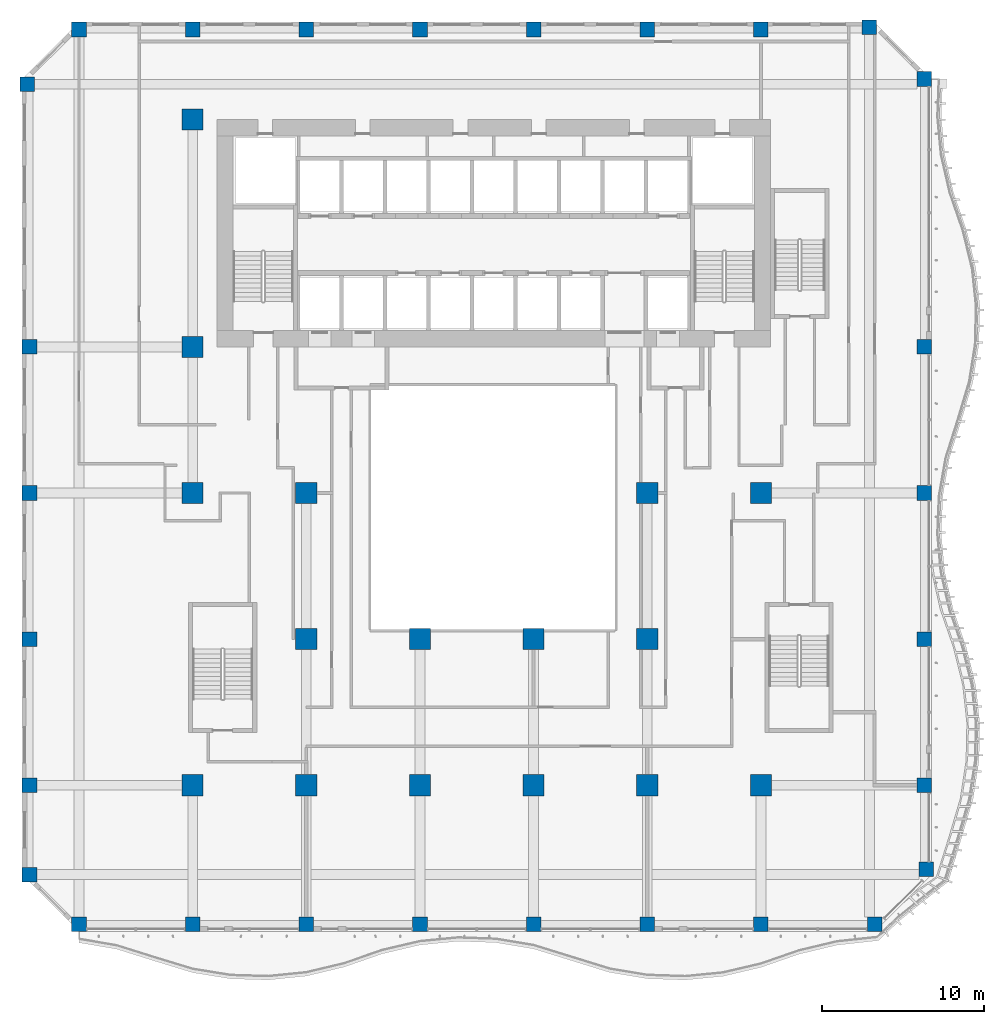
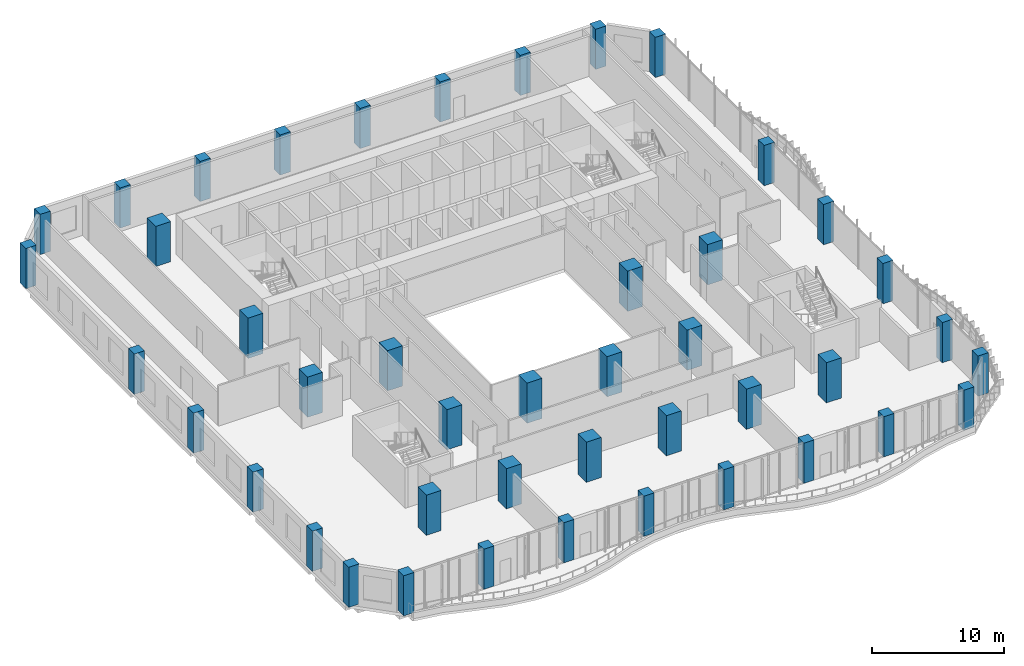
# One storey, part 1 of 27: 44 columns.
"""IFC4 building model written with IfcOpenShell, lengths in metres."""

from ifc_helpers import new_model, si_unit, direction, frame, origin, origin_2d, place, context, subcontext, project, spatial, rectangle, extrude, source, transform, mapped, material, material_profile, profile_set, type_object, element, save


model = new_model("IFC4")

# Units and contexts
model_context = context("Model", 3, precision=1e-05, world=origin(), true_north=direction((0.0, 1.0)))
body_context = subcontext(model_context, "Body", "Model", "MODEL_VIEW")
ifc_project = project(units=[si_unit("LENGTHUNIT", "METRE"), si_unit("AREAUNIT", "SQUARE_METRE"), si_unit("VOLUMEUNIT", "CUBIC_METRE"), si_unit("PLANEANGLEUNIT", "RADIAN"), si_unit("MASSUNIT", "GRAM", prefix="KILO")], contexts=[model_context])

# Site, building, storey
site_placement = place(None, origin())
site = spatial("IfcSite", under=ifc_project, at=site_placement, CompositionType="ELEMENT")
building_placement = place(site_placement, origin())
building = spatial("IfcBuilding", under=site, at=building_placement, Name="Kilnfold Tower and Market Hall", CompositionType="ELEMENT")
storey_placement = place(building_placement, frame((0.0, 0.0, 43.0)))
storey = spatial("IfcBuildingStorey", under=building, at=storey_placement, Name="L09", CompositionType="ELEMENT", Elevation=43.0)

# Columns
ifc_material_1 = material(Name="Concrete C80", Category="concrete")
ifc_material_profile_1 = material_profile(ifc_material_1, rectangle(XDim=0.89990234375, YDim=0.89990234375, at=origin_2d()), Name="RC 900x900")
ifc_profile_set_1 = profile_set([ifc_material_profile_1], Name="Concrete C80")
column_type_1 = type_object("IfcColumnType", Name="COLUMN 900X900 C80", PredefinedType="COLUMN", material=ifc_profile_set_1)
shared_shape_1 = source(origin(), body_context, "Body", "SweptSolid", [
    extrude(rectangle(XDim=0.89990234375, YDim=0.89990234375, at=origin_2d()), origin(), (0.0, 0.0, 1.0), 3.719970703125),
])
for number, where, z_axis, x_axis, name in (
    (1, (-27.681884765625, 24.181884765625, 0.0), (0.0, 0.0, 1.0), (1.0, 0.0, 0.0), "Column C-B1-1H"),
    (2, (-27.550048828125, -24.5, 0.0), (0.0, 0.0, 1.0), (1.0, 0.0, 0.0), "Column C-B1-1B"),
    (3, (-27.550048828125, -19.0, 0.0), (0.0, 0.0, 1.0), (1.0, 0.0, 0.0), "Column C-B1-1C"),
    (4, (-27.550048828125, -10.0, 0.0), (0.0, 0.0, 1.0), (1.0, 0.0, 0.0), "Column C-B1-1D"),
    (5, (-27.550048828125, -1.0, 0.0), (0.0, 0.0, 1.0), (1.0, 0.0, 0.0), "Column C-B1-1E"),
    (6, (-27.550048828125, 8.0, 0.0), (0.0, 0.0, 1.0), (1.0, 0.0, 0.0), "Column C-B1-1F"),
    (7, (-24.5, -27.550048828125, 0.0), (0.0, 0.0, 1.0), (1.0, 0.0, 0.0), "Column C-B1-2A"),
    (8, (-24.5, 27.550048828125, 0.0), (0.0, 0.0, 1.0), (1.0, 0.0, 0.0), "Column C-B1-2I"),
    (9, (-17.5, -27.550048828125, 0.0), (0.0, 0.0, 1.0), (1.0, 0.0, 0.0), "Column C-B1-3A"),
    (10, (-17.5, 27.550048828125, 0.0), (0.0, 0.0, 1.0), (1.0, 0.0, 0.0), "Column C-B1-3I"),
    (11, (-10.5, -27.550048828125, 0.0), (0.0, 0.0, 1.0), (1.0, 0.0, 0.0), "Column C-B1-4A"),
    (12, (-10.5, 27.550048828125, 0.0), (0.0, 0.0, 1.0), (1.0, 0.0, 0.0), "Column C-B1-4I"),
    (13, (-3.5, -27.550048828125, 0.0), (0.0, 0.0, 1.0), (1.0, 0.0, 0.0), "Column C-B1-5A"),
    (14, (-3.5, 27.550048828125, 0.0), (0.0, 0.0, 1.0), (1.0, 0.0, 0.0), "Column C-B1-5I"),
    (15, (3.5, -27.550048828125, 0.0), (0.0, 0.0, 1.0), (1.0, 0.0, 0.0), "Column C-B1-6A"),
    (16, (3.5, 27.550048828125, 0.0), (0.0, 0.0, 1.0), (1.0, 0.0, 0.0), "Column C-B1-6I"),
    (17, (10.5, -27.550048828125, 0.0), (0.0, 0.0, 1.0), (1.0, 0.0, 0.0), "Column C-B1-7A"),
    (18, (10.5, 27.550048828125, 0.0), (0.0, 0.0, 1.0), (1.0, 0.0, 0.0), "Column C-B1-7I"),
    (19, (17.5, -27.550048828125, 0.0), (0.0, 0.0, 1.0), (1.0, 0.0, 0.0), "Column C-B1-8A"),
    (20, (17.5, 27.550048828125, 0.0), (0.0, 0.0, 1.0), (1.0, 0.0, 0.0), "Column C-B1-8I"),
    (21, (24.181884765625, 27.681884765625, 0.0), (0.0, 0.0, 1.0), (1.0, 0.0, 0.0), "Column C-B1-9I"),
    (22, (24.5, -27.550048828125, 0.0), (0.0, 0.0, 1.0), (1.0, 0.0, 0.0), "Column C-B1-9A"),
    (23, (27.550048828125, -19.0, 0.0), (0.0, 0.0, 1.0), (1.0, 0.0, 0.0), "Column C-B1-10C"),
    (24, (27.550048828125, -10.0, 0.0), (0.0, 0.0, 1.0), (1.0, 0.0, 0.0), "Column C-B1-10D"),
    (25, (27.550048828125, -1.0, 0.0), (0.0, 0.0, 1.0), (1.0, 0.0, 0.0), "Column C-B1-10E"),
    (26, (27.550048828125, 8.0, 0.0), (0.0, 0.0, 1.0), (1.0, 0.0, 0.0), "Column C-B1-10F"),
    (27, (27.550048828125, 24.5, 0.0), (0.0, 0.0, 1.0), (1.0, 0.0, 0.0), "Column C-B1-10H"),
    (28, (27.681884765625, -24.181884765625, 0.0), (0.0, 0.0, 1.0), (1.0, 0.0, 0.0), "Column C-B1-10B"),
):
    element("IfcColumn", number, at=place(storey_placement, frame(where, z_axis=z_axis, x_axis=x_axis)), inside=storey, type_object=column_type_1, Name=name, PredefinedType="COLUMN", context=body_context, shape_type="MappedRepresentation", body=[
        mapped(shared_shape_1, transform((0.0, 0.0, 0.0))),
    ])
ifc_material_2 = material(Name="Concrete C80", Category="concrete")
ifc_material_profile_2 = material_profile(ifc_material_2, rectangle(XDim=1.300048828125, YDim=1.300048828125, at=origin_2d()), Name="RC 1300x1300")
ifc_profile_set_2 = profile_set([ifc_material_profile_2], Name="Concrete C80")
column_type_2 = type_object("IfcColumnType", Name="COLUMN 1300X1300 C80", PredefinedType="COLUMN", material=ifc_profile_set_2)
shared_shape_2 = source(origin(), body_context, "Body", "SweptSolid", [
    extrude(rectangle(XDim=1.300048828125, YDim=1.300048828125, at=origin_2d()), origin(), (0.0, 0.0, 1.0), 3.719970703125),
])
for number, where, z_axis, x_axis, name in (
    (29, (-17.5, -19.0, 0.0), (0.0, 0.0, 1.0), (1.0, 0.0, 0.0), "Column C-B1-3C"),
    (30, (-17.5, -1.0, 0.0), (0.0, 0.0, 1.0), (1.0, 0.0, 0.0), "Column C-B1-3E"),
    (31, (-17.5, 8.0, 0.0), (0.0, 0.0, 1.0), (1.0, 0.0, 0.0), "Column C-B1-3F"),
    (32, (-17.5, 22.0, 0.0), (0.0, 0.0, 1.0), (1.0, 0.0, 0.0), "Column C-B1-3G"),
    (33, (-10.5, -19.0, 0.0), (0.0, 0.0, 1.0), (1.0, 0.0, 0.0), "Column C-B1-4C"),
    (34, (-10.5, -10.0, 0.0), (0.0, 0.0, 1.0), (1.0, 0.0, 0.0), "Column C-B1-4D"),
    (35, (-10.5, -1.0, 0.0), (0.0, 0.0, 1.0), (1.0, 0.0, 0.0), "Column C-B1-4E"),
    (36, (-3.5, -19.0, 0.0), (0.0, 0.0, 1.0), (1.0, 0.0, 0.0), "Column C-B1-5C"),
    (37, (-3.5, -10.0, 0.0), (0.0, 0.0, 1.0), (1.0, 0.0, 0.0), "Column C-B1-5D"),
    (38, (3.5, -19.0, 0.0), (0.0, 0.0, 1.0), (1.0, 0.0, 0.0), "Column C-B1-6C"),
    (39, (3.5, -10.0, 0.0), (0.0, 0.0, 1.0), (1.0, 0.0, 0.0), "Column C-B1-6D"),
    (40, (10.5, -19.0, 0.0), (0.0, 0.0, 1.0), (1.0, 0.0, 0.0), "Column C-B1-7C"),
    (41, (10.5, -10.0, 0.0), (0.0, 0.0, 1.0), (1.0, 0.0, 0.0), "Column C-B1-7D"),
    (42, (10.5, -1.0, 0.0), (0.0, 0.0, 1.0), (1.0, 0.0, 0.0), "Column C-B1-7E"),
    (43, (17.5, -19.0, 0.0), (0.0, 0.0, 1.0), (1.0, 0.0, 0.0), "Column C-B1-8C"),
    (44, (17.5, -1.0, 0.0), (0.0, 0.0, 1.0), (1.0, 0.0, 0.0), "Column C-B1-8E"),
):
    element("IfcColumn", number, at=place(storey_placement, frame(where, z_axis=z_axis, x_axis=x_axis)), inside=storey, type_object=column_type_2, Name=name, PredefinedType="COLUMN", context=body_context, shape_type="MappedRepresentation", body=[
        mapped(shared_shape_2, transform((0.0, 0.0, 0.0))),
    ])

save(model, "model.ifc")
